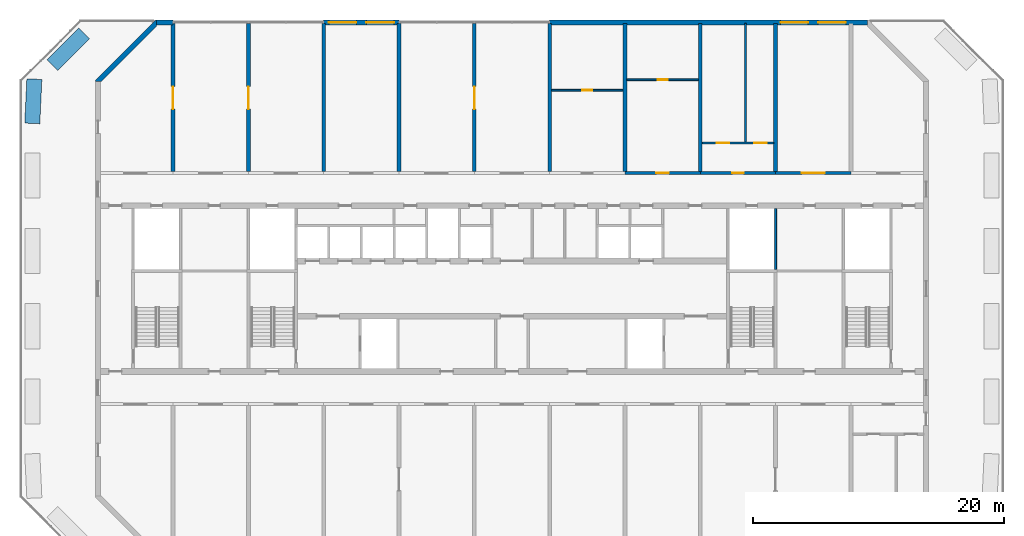
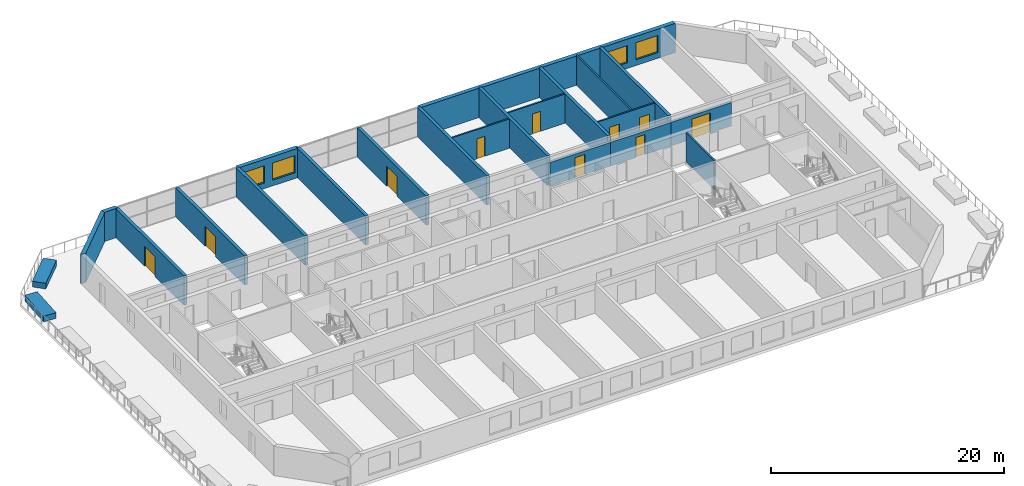
# One storey, part 8 of 14: 23 walls, 10 doors, 4 windows, 14 openings.
"""IFC4 building model written with IfcOpenShell, lengths in metres."""

from ifc_helpers import new_model, si_unit, direction, frame, frame_2d, origin, place, context, subcontext, project, spatial, polyline, rectangle, outline, extrude, source, transform, mapped, material, layer, layer_set, type_object, element, fill, save


model = new_model("IFC4")

# Units and contexts
model_context = context("Model", 3, precision=1e-05, world=origin(), true_north=direction((0.0, 1.0)))
body_context = subcontext(model_context, "Body", "Model", "MODEL_VIEW")
ifc_project = project(units=[si_unit("LENGTHUNIT", "METRE"), si_unit("AREAUNIT", "SQUARE_METRE"), si_unit("VOLUMEUNIT", "CUBIC_METRE"), si_unit("PLANEANGLEUNIT", "RADIAN"), si_unit("MASSUNIT", "GRAM", prefix="KILO")], contexts=[model_context])

# Site, building, storey
site_placement = place(None, origin())
site = spatial("IfcSite", under=ifc_project, at=site_placement, CompositionType="ELEMENT")
building_placement = place(site_placement, origin())
building = spatial("IfcBuilding", under=site, at=building_placement, Name="Poui Terraces", CompositionType="ELEMENT")
storey_placement = place(building_placement, frame((0.0, 0.0, 158.699951171875)))
storey = spatial("IfcBuildingStorey", under=building, at=storey_placement, Name="L44", CompositionType="ELEMENT", Elevation=158.699951171875)

# Wall, openings, doors
ifc_material_1 = material(Name="Fire-rated plasterboard wall")
ifc_layer_1 = layer(ifc_material_1, 0.14990234375)
ifc_layer_set_1 = layer_set([ifc_layer_1], Name="Fire-rated plasterboard wall")
wall_type_1 = type_object("IfcWallType", Name="CORRIDOR WALL 150", PredefinedType="PARTITIONING", material=ifc_layer_set_1)
wall_1_placement = place(storey_placement, frame((66.159912109375, 32.800048828125, 0.0), z_axis=(0.0, 0.0, 1.0), x_axis=(1.0, 0.0, 0.0)))
wall_1 = element("IfcWall", 1, at=wall_1_placement, inside=storey, type_object=wall_type_1, Name="CORRIDOR WALL 150", PredefinedType="PARTITIONING", context=body_context, shape_type="SweptSolid", body=[
    extrude(rectangle(XDim=5.68017578125, YDim=0.14990234375, at=frame_2d((2.840087890625, 0.0))), origin(), (0.0, 0.0, 1.0), 3.070068359375),
])
opening_1_placement = place(wall_1_placement, frame((1.139892578125, 0.0, 0.0)))
opening_1 = element("IfcOpeningElement", 2, at=opening_1_placement, cuts=wall_1, Name="Opening D100", PredefinedType="OPENING", context=body_context, shape_type="SweptSolid", body=[
    extrude(rectangle(XDim=1.0, YDim=2.10009765625, at=frame_2d((0.5, 1.050048828125))), frame((0.0, 0.0849609375, 0.0), z_axis=(0.0, -1.0, 0.0), x_axis=(1.0, 0.0, 0.0)), (0.0, 0.0, 1.0), 0.169921875),
])
opening_2_placement = place(wall_1_placement, frame((4.139892578125, 0.0, 0.0)))
opening_2 = element("IfcOpeningElement", 3, at=opening_2_placement, cuts=wall_1, Name="Opening D100", PredefinedType="OPENING", context=body_context, shape_type="SweptSolid", body=[
    extrude(rectangle(XDim=1.0, YDim=2.10009765625, at=frame_2d((0.5, 1.050048828125))), frame((0.0, 0.0849609375, 0.0), z_axis=(0.0, -1.0, 0.0), x_axis=(1.0, 0.0, 0.0)), (0.0, 0.0, 1.0), 0.169921875),
])
ifc_material_2 = material(Name="Solid core timber door", Category="wood")
door_type_1 = type_object("IfcDoorType", Name="ACCESSIBLE INTERNAL DOOR 1000 X 2100", OperationType="NOTDEFINED", PredefinedType="DOOR", material=ifc_material_2)
door_1_placement = place(opening_1_placement, frame((1.0, 0.0, 0.0), z_axis=(0.0, 0.0, 1.0), x_axis=(-1.0, 0.0, 0.0)))
door_1 = element("IfcDoor", 4, at=door_1_placement, inside=storey, type_object=door_type_1, Name="ACCESSIBLE INTERNAL DOOR 055", OperationType="SINGLE_SWING_LEFT", OverallHeight=2.10009765625, OverallWidth=1.0, PredefinedType="DOOR", context=body_context, shape_type="SweptSolid", body=[
    extrude(rectangle(XDim=1.0, YDim=2.10009765625, at=frame_2d((0.5, 1.050048828125))), frame((0.0, 0.02490234375, 0.0), z_axis=(0.0, -1.0, 0.0), x_axis=(1.0, 0.0, 0.0)), (0.0, 0.0, 1.0), 0.050048828125),
])
fill(opening_1, door_1)
door_2_placement = place(opening_2_placement, frame((1.0, 0.0, 0.0), z_axis=(0.0, 0.0, 1.0), x_axis=(-1.0, 0.0, 0.0)))
door_2 = element("IfcDoor", 5, at=door_2_placement, inside=storey, type_object=door_type_1, Name="ACCESSIBLE INTERNAL DOOR 056", OperationType="SINGLE_SWING_RIGHT", OverallHeight=2.10009765625, OverallWidth=1.0, PredefinedType="DOOR", context=body_context, shape_type="SweptSolid", body=[
    extrude(rectangle(XDim=1.0, YDim=2.10009765625, at=frame_2d((0.5, 1.050048828125))), frame((0.0, 0.02490234375, 0.0), z_axis=(0.0, -1.0, 0.0), x_axis=(1.0, 0.0, 0.0)), (0.0, 0.0, 1.0), 0.050048828125),
])
fill(opening_2, door_2)

# Wall, opening, door
ifc_material_3 = material(Name="Concrete 65 MPa", Category="concrete")
ifc_layer_2 = layer(ifc_material_3, 0.25)
ifc_layer_set_2 = layer_set([ifc_layer_2], Name="Concrete 65 MPa")
wall_type_2 = type_object("IfcWallType", Name="CORRIDOR WALL 250 65MPa", PredefinedType="SHEAR", material=ifc_layer_set_2)
wall_2_placement = place(storey_placement, frame((60.0, 30.39990234375, 0.0), z_axis=(0.0, 0.0, 1.0), x_axis=(1.0, 0.0, 0.0)))
wall_2 = element("IfcWall", 6, at=wall_2_placement, inside=storey, type_object=wall_type_2, Name="CORRIDOR WALL LINE E BAY 8", PredefinedType="SHEAR", context=body_context, shape_type="SweptSolid", body=[
    extrude(rectangle(XDim=6.0, YDim=0.25, at=frame_2d((3.0, 0.0))), origin(), (0.0, 0.0, 1.0), 2.469970703125),
])
opening_3_placement = place(wall_2_placement, frame((2.5, 0.0, 0.0)))
opening_3 = element("IfcOpeningElement", 7, at=opening_3_placement, cuts=wall_2, Name="Opening D100", PredefinedType="OPENING", context=body_context, shape_type="SweptSolid", body=[
    extrude(rectangle(XDim=1.0, YDim=2.10009765625, at=frame_2d((0.5, 1.050048828125))), frame((0.0, 0.135009765625, 0.0), z_axis=(0.0, -1.0, 0.0), x_axis=(1.0, 0.0, 0.0)), (0.0, 0.0, 1.0), 0.27001953125),
])
door_3_placement = place(opening_3_placement, frame((1.0, 0.0, 0.0), z_axis=(0.0, 0.0, 1.0), x_axis=(-1.0, 0.0, 0.0)))
door_3 = element("IfcDoor", 8, at=door_3_placement, inside=storey, type_object=door_type_1, Name="ACCESSIBLE INTERNAL DOOR 020", OperationType="SINGLE_SWING_LEFT", OverallHeight=2.10009765625, OverallWidth=1.0, PredefinedType="DOOR", context=body_context, shape_type="SweptSolid", body=[
    extrude(rectangle(XDim=1.0, YDim=2.10009765625, at=frame_2d((0.5, 1.050048828125))), frame((0.0, 0.02490234375, 0.0), z_axis=(0.0, -1.0, 0.0), x_axis=(1.0, 0.0, 0.0)), (0.0, 0.0, 1.0), 0.050048828125),
])
fill(opening_3, door_3)

wall_3_placement = place(storey_placement, frame((66.0, 30.39990234375, 0.0), z_axis=(0.0, 0.0, 1.0), x_axis=(1.0, 0.0, 0.0)))
wall_3 = element("IfcWall", 9, at=wall_3_placement, inside=storey, type_object=wall_type_2, Name="CORRIDOR WALL LINE E BAY 9", PredefinedType="SHEAR", context=body_context, shape_type="SweptSolid", body=[
    extrude(rectangle(XDim=6.0, YDim=0.25, at=frame_2d((3.0, 0.0))), origin(), (0.0, 0.0, 1.0), 2.469970703125),
])
opening_4_placement = place(wall_3_placement, frame((2.550048828125, 0.0, 0.0)))
opening_4 = element("IfcOpeningElement", 10, at=opening_4_placement, cuts=wall_3, Name="Opening D90", PredefinedType="OPENING", context=body_context, shape_type="SweptSolid", body=[
    extrude(rectangle(XDim=0.89990234375, YDim=2.10009765625, at=frame_2d((0.449951171875, 1.050048828125))), frame((0.0, 0.135009765625, 0.0), z_axis=(0.0, -1.0, 0.0), x_axis=(1.0, 0.0, 0.0)), (0.0, 0.0, 1.0), 0.27001953125),
])
door_type_2 = type_object("IfcDoorType", Name="INTERNAL DOOR 900 X 2100", OperationType="NOTDEFINED", PredefinedType="DOOR", material=ifc_material_2)
door_4_placement = place(opening_4_placement, frame((0.89990234375, 0.0, 0.0), z_axis=(0.0, 0.0, 1.0), x_axis=(-1.0, 0.0, 0.0)))
door_4 = element("IfcDoor", 11, at=door_4_placement, inside=storey, type_object=door_type_2, Name="INTERNAL DOOR 022", OperationType="SINGLE_SWING_RIGHT", OverallHeight=2.10009765625, OverallWidth=0.89990234375, PredefinedType="DOOR", context=body_context, shape_type="SweptSolid", body=[
    extrude(rectangle(XDim=0.89990234375, YDim=2.10009765625, at=frame_2d((0.449951171875, 1.050048828125))), frame((0.0, 0.02490234375, 0.0), z_axis=(0.0, -1.0, 0.0), x_axis=(1.0, 0.0, 0.0)), (0.0, 0.0, 1.0), 0.050048828125),
])
fill(opening_4, door_4)

wall_4_placement = place(storey_placement, frame((72.0, 30.39990234375, 0.0), z_axis=(0.0, 0.0, 1.0), x_axis=(1.0, 0.0, 0.0)))
wall_4 = element("IfcWall", 12, at=wall_4_placement, inside=storey, type_object=wall_type_2, Name="CORRIDOR WALL LINE E BAY 10", PredefinedType="SHEAR", context=body_context, shape_type="SweptSolid", body=[
    extrude(rectangle(XDim=6.0, YDim=0.25, at=frame_2d((3.0, 0.0))), origin(), (0.0, 0.0, 1.0), 2.469970703125),
])
opening_5_placement = place(wall_4_placement, frame((2.10009765625, 0.0, 0.0)))
opening_5 = element("IfcOpeningElement", 13, at=opening_5_placement, cuts=wall_4, Name="Opening DD180", PredefinedType="OPENING", context=body_context, shape_type="SweptSolid", body=[
    extrude(rectangle(XDim=1.800048828125, YDim=2.10009765625, at=frame_2d((0.89990234375, 1.050048828125))), frame((0.0, 0.135009765625, 0.0), z_axis=(0.0, -1.0, 0.0), x_axis=(1.0, 0.0, 0.0)), (0.0, 0.0, 1.0), 0.27001953125),
])
ifc_material_4 = material(Name="Steel fire door", Category="steel")
door_type_3 = type_object("IfcDoorType", Name="DOUBLE INTERNAL DOOR 1800 X 2100", OperationType="DOUBLE_DOOR_SINGLE_SWING", PredefinedType="DOOR", material=ifc_material_4)
door_5_placement = place(opening_5_placement, frame((1.800048828125, 0.0, 0.0), z_axis=(0.0, 0.0, 1.0), x_axis=(-1.0, 0.0, 0.0)))
door_5 = element("IfcDoor", 14, at=door_5_placement, inside=storey, type_object=door_type_3, Name="DOUBLE INTERNAL DOOR 025", OperationType="DOUBLE_DOOR_SINGLE_SWING", OverallHeight=2.10009765625, OverallWidth=1.800048828125, PredefinedType="DOOR", context=body_context, shape_type="SweptSolid", body=[
    extrude(rectangle(XDim=1.800048828125, YDim=2.10009765625, at=frame_2d((0.89990234375, 1.050048828125))), frame((0.0, 0.02490234375, 0.0), z_axis=(0.0, -1.0, 0.0), x_axis=(1.0, 0.0, 0.0)), (0.0, 0.0, 1.0), 0.050048828125),
])
fill(opening_5, door_5)

ifc_layer_3 = layer(ifc_material_3, 0.300048828125)
ifc_layer_set_3 = layer_set([ifc_layer_3], Name="Concrete 65 MPa")
wall_type_3 = type_object("IfcWallType", Name="CROSS WALL 300 65MPa", PredefinedType="SHEAR", material=ifc_layer_set_3)
wall_5_placement = place(storey_placement, frame((24.0, 30.52490234375, 0.0), z_axis=(0.0, 0.0, 1.0), x_axis=(0.0, 1.0, 0.0)))
wall_5 = element("IfcWall", 15, at=wall_5_placement, inside=storey, type_object=wall_type_3, Name="CROSS WALL LINE 5 NORTH", PredefinedType="SHEAR", context=body_context, shape_type="SweptSolid", body=[
    extrude(rectangle(XDim=11.800048828125, YDim=0.300048828125, at=frame_2d((5.89990234375, 0.0))), origin(), (0.0, 0.0, 1.0), 3.070068359375),
])
opening_6_placement = place(wall_5_placement, frame((4.97509765625, 0.0, 0.0)))
opening_6 = element("IfcOpeningElement", 16, at=opening_6_placement, cuts=wall_5, Name="Opening DD180", PredefinedType="OPENING", context=body_context, shape_type="SweptSolid", body=[
    extrude(rectangle(XDim=1.800048828125, YDim=2.10009765625, at=frame_2d((0.89990234375, 1.050048828125))), frame((0.0, 0.16015625, 0.0), z_axis=(0.0, -1.0, 0.0), x_axis=(1.0, 0.0, 0.0)), (0.0, 0.0, 1.0), 0.320068359375),
])
door_6_placement = place(opening_6_placement, origin())
door_6 = element("IfcDoor", 17, at=door_6_placement, inside=storey, type_object=door_type_3, Name="DOUBLE INTERNAL DOOR 050", OperationType="DOUBLE_DOOR_SINGLE_SWING", OverallHeight=2.10009765625, OverallWidth=1.800048828125, PredefinedType="DOOR", context=body_context, shape_type="SweptSolid", body=[
    extrude(rectangle(XDim=1.800048828125, YDim=2.10009765625, at=frame_2d((0.89990234375, 1.050048828125))), frame((0.0, 0.02490234375, 0.0), z_axis=(0.0, -1.0, 0.0), x_axis=(1.0, 0.0, 0.0)), (0.0, 0.0, 1.0), 0.050048828125),
])
fill(opening_6, door_6)

wall_6_placement = place(storey_placement, frame((30.0, 30.52490234375, 0.0), z_axis=(0.0, 0.0, 1.0), x_axis=(0.0, 1.0, 0.0)))
wall_6 = element("IfcWall", 18, at=wall_6_placement, inside=storey, type_object=wall_type_3, Name="CROSS WALL LINE 6 NORTH", PredefinedType="SHEAR", context=body_context, shape_type="SweptSolid", body=[
    extrude(rectangle(XDim=11.800048828125, YDim=0.300048828125, at=frame_2d((5.89990234375, 0.0))), origin(), (0.0, 0.0, 1.0), 3.070068359375),
])
opening_7_placement = place(wall_6_placement, frame((4.97509765625, 0.0, 0.0)))
opening_7 = element("IfcOpeningElement", 19, at=opening_7_placement, cuts=wall_6, Name="Opening DD180", PredefinedType="OPENING", context=body_context, shape_type="SweptSolid", body=[
    extrude(rectangle(XDim=1.800048828125, YDim=2.10009765625, at=frame_2d((0.89990234375, 1.050048828125))), frame((0.0, 0.16015625, 0.0), z_axis=(0.0, -1.0, 0.0), x_axis=(1.0, 0.0, 0.0)), (0.0, 0.0, 1.0), 0.320068359375),
])
door_7_placement = place(opening_7_placement, origin())
door_7 = element("IfcDoor", 20, at=door_7_placement, inside=storey, type_object=door_type_3, Name="DOUBLE INTERNAL DOOR 051", OperationType="DOUBLE_DOOR_SINGLE_SWING", OverallHeight=2.10009765625, OverallWidth=1.800048828125, PredefinedType="DOOR", context=body_context, shape_type="SweptSolid", body=[
    extrude(rectangle(XDim=1.800048828125, YDim=2.10009765625, at=frame_2d((0.89990234375, 1.050048828125))), frame((0.0, 0.02490234375, 0.0), z_axis=(0.0, -1.0, 0.0), x_axis=(1.0, 0.0, 0.0)), (0.0, 0.0, 1.0), 0.050048828125),
])
fill(opening_7, door_7)

# Walls
for number, where, z_axis, x_axis, name in (
    (21, (36.0, 30.52490234375, 0.0), (0.0, 0.0, 1.0), (0.0, 1.0, 0.0), "CROSS WALL LINE 7 NORTH"),
    (22, (42.0, 30.52490234375, 0.0), (0.0, 0.0, 1.0), (0.0, 1.0, 0.0), "CROSS WALL LINE 8 NORTH"),
):
    element("IfcWall", number, at=place(storey_placement, frame(where, z_axis=z_axis, x_axis=x_axis)), inside=storey, type_object=wall_type_3, Name=name, PredefinedType="SHEAR", context=body_context, shape_type="SweptSolid", body=[
        extrude(rectangle(XDim=11.800048828125, YDim=0.300048828125, at=frame_2d((5.89990234375, 0.0))), origin(), (0.0, 0.0, 1.0), 3.070068359375),
    ])

# Wall, opening, door
wall_7_placement = place(storey_placement, frame((48.0, 30.52490234375, 0.0), z_axis=(0.0, 0.0, 1.0), x_axis=(0.0, 1.0, 0.0)))
wall_7 = element("IfcWall", 23, at=wall_7_placement, inside=storey, type_object=wall_type_3, Name="CROSS WALL LINE 9 NORTH", PredefinedType="SHEAR", context=body_context, shape_type="SweptSolid", body=[
    extrude(rectangle(XDim=11.800048828125, YDim=0.300048828125, at=frame_2d((5.89990234375, 0.0))), origin(), (0.0, 0.0, 1.0), 3.070068359375),
])
opening_8_placement = place(wall_7_placement, frame((4.97509765625, 0.0, 0.0)))
opening_8 = element("IfcOpeningElement", 24, at=opening_8_placement, cuts=wall_7, Name="Opening DD180", PredefinedType="OPENING", context=body_context, shape_type="SweptSolid", body=[
    extrude(rectangle(XDim=1.800048828125, YDim=2.10009765625, at=frame_2d((0.89990234375, 1.050048828125))), frame((0.0, 0.16015625, 0.0), z_axis=(0.0, -1.0, 0.0), x_axis=(1.0, 0.0, 0.0)), (0.0, 0.0, 1.0), 0.320068359375),
])
door_8_placement = place(opening_8_placement, origin())
door_8 = element("IfcDoor", 25, at=door_8_placement, inside=storey, type_object=door_type_3, Name="DOUBLE INTERNAL DOOR 052", OperationType="DOUBLE_DOOR_SINGLE_SWING", OverallHeight=2.10009765625, OverallWidth=1.800048828125, PredefinedType="DOOR", context=body_context, shape_type="SweptSolid", body=[
    extrude(rectangle(XDim=1.800048828125, YDim=2.10009765625, at=frame_2d((0.89990234375, 1.050048828125))), frame((0.0, 0.02490234375, 0.0), z_axis=(0.0, -1.0, 0.0), x_axis=(1.0, 0.0, 0.0)), (0.0, 0.0, 1.0), 0.050048828125),
])
fill(opening_8, door_8)

# Walls
for number, where, z_axis, x_axis, name in (
    (26, (54.0, 30.52490234375, 0.0), (0.0, 0.0, 1.0), (0.0, 1.0, 0.0), "CROSS WALL LINE 10 NORTH"),
    (27, (60.0, 30.52490234375, 0.0), (0.0, 0.0, 1.0), (0.0, 1.0, 0.0), "CROSS WALL LINE 11 NORTH"),
    (28, (66.0, 30.52490234375, 0.0), (0.0, 0.0, 1.0), (0.0, 1.0, 0.0), "CROSS WALL LINE 12 NORTH"),
    (29, (72.0, 30.52490234375, 0.0), (0.0, 0.0, 1.0), (0.0, 1.0, 0.0), "CROSS WALL LINE 13 NORTH"),
):
    element("IfcWall", number, at=place(storey_placement, frame(where, z_axis=z_axis, x_axis=x_axis)), inside=storey, type_object=wall_type_3, Name=name, PredefinedType="SHEAR", context=body_context, shape_type="SweptSolid", body=[
        extrude(rectangle(XDim=11.800048828125, YDim=0.300048828125, at=frame_2d((5.89990234375, 0.0))), origin(), (0.0, 0.0, 1.0), 3.070068359375),
    ])

# Wall, openings, windows
ifc_material_5 = material(Name="Precast concrete 40 MPa", Category="concrete")
ifc_layer_4 = layer(ifc_material_5, 0.39990234375)
ifc_layer_set_4 = layer_set([ifc_layer_4], Name="Precast concrete 40 MPa")
wall_type_4 = type_object("IfcWallType", Name="EXTERNAL WALL 400", PredefinedType="STANDARD", material=ifc_layer_set_4)
wall_8_placement = place(storey_placement, frame((79.317138671875, 42.39990234375, 0.0), z_axis=(0.0, 0.0, 1.0), x_axis=(-1.0, 0.0, 0.0)))
wall_8 = element("IfcWall", 30, at=wall_8_placement, inside=storey, type_object=wall_type_4, Name="EXTERNAL WALL N", PredefinedType="STANDARD", context=body_context, shape_type="SweptSolid", body=[
    extrude(rectangle(XDim=25.317138671875, YDim=0.39990234375, at=frame_2d((12.65869140625, 0.0))), origin(), (0.0, 0.0, 1.0), 3.070068359375),
])
opening_9_placement = place(wall_8_placement, frame((4.71728515625, 0.0, 0.60009765625)))
opening_9 = element("IfcOpeningElement", 31, at=opening_9_placement, cuts=wall_8, Name="Opening W3", PredefinedType="OPENING", context=body_context, shape_type="SweptSolid", body=[
    extrude(rectangle(XDim=2.199951171875, YDim=1.800048828125, at=frame_2d((1.10009765625, 0.89990234375))), frame((0.0, 0.2099609375, 0.0), z_axis=(0.0, -1.0, 0.0), x_axis=(1.0, 0.0, 0.0)), (0.0, 0.0, 1.0), 0.419921875),
])
opening_10_placement = place(wall_8_placement, frame((1.71728515625, 0.0, 0.60009765625)))
opening_10 = element("IfcOpeningElement", 32, at=opening_10_placement, cuts=wall_8, Name="Opening W3", PredefinedType="OPENING", context=body_context, shape_type="SweptSolid", body=[
    extrude(rectangle(XDim=2.199951171875, YDim=1.800048828125, at=frame_2d((1.10009765625, 0.89990234375))), frame((0.0, 0.2099609375, 0.0), z_axis=(0.0, -1.0, 0.0), x_axis=(1.0, 0.0, 0.0)), (0.0, 0.0, 1.0), 0.419921875),
])
ifc_material_6 = material(Name="Clear glass in aluminium frame", Category="aluminium")
window_type = type_object("IfcWindowType", Name="WINDOW 2200X1800", PartitioningType="DOUBLE_PANEL_HORIZONTAL", PredefinedType="WINDOW", material=ifc_material_6)
window_1_placement = place(opening_9_placement, origin())
window_1 = element("IfcWindow", 33, at=window_1_placement, inside=storey, type_object=window_type, Name="W3 WINDOW", OverallHeight=1.800048828125, OverallWidth=2.199951171875, PartitioningType="DOUBLE_PANEL_HORIZONTAL", PredefinedType="WINDOW", context=body_context, shape_type="SweptSolid", body=[
    extrude(rectangle(XDim=2.199951171875, YDim=1.800048828125, at=frame_2d((1.10009765625, 0.89990234375))), frame((0.0, 0.030029296875, 0.0), z_axis=(0.0, -1.0, 0.0), x_axis=(1.0, 0.0, 0.0)), (0.0, 0.0, 1.0), 0.06005859375),
])
fill(opening_9, window_1)
window_2_placement = place(opening_10_placement, origin())
window_2 = element("IfcWindow", 34, at=window_2_placement, inside=storey, type_object=window_type, Name="W3 WINDOW", OverallHeight=1.800048828125, OverallWidth=2.199951171875, PartitioningType="DOUBLE_PANEL_HORIZONTAL", PredefinedType="WINDOW", context=body_context, shape_type="SweptSolid", body=[
    extrude(rectangle(XDim=2.199951171875, YDim=1.800048828125, at=frame_2d((1.10009765625, 0.89990234375))), frame((0.0, 0.030029296875, 0.0), z_axis=(0.0, -1.0, 0.0), x_axis=(1.0, 0.0, 0.0)), (0.0, 0.0, 1.0), 0.06005859375),
])
fill(opening_10, window_2)

wall_9_placement = place(storey_placement, frame((42.0, 42.39990234375, 0.0), z_axis=(0.0, 0.0, 1.0), x_axis=(-1.0, 0.0, 0.0)))
wall_9 = element("IfcWall", 35, at=wall_9_placement, inside=storey, type_object=wall_type_4, Name="EXTERNAL WALL N", PredefinedType="STANDARD", context=body_context, shape_type="SweptSolid", body=[
    extrude(rectangle(XDim=6.0, YDim=0.39990234375, at=frame_2d((3.0, 0.0))), origin(), (0.0, 0.0, 1.0), 3.070068359375),
])
opening_11_placement = place(wall_9_placement, frame((3.39990234375, 0.0, 0.60009765625)))
opening_11 = element("IfcOpeningElement", 36, at=opening_11_placement, cuts=wall_9, Name="Opening W3", PredefinedType="OPENING", context=body_context, shape_type="SweptSolid", body=[
    extrude(rectangle(XDim=2.199951171875, YDim=1.800048828125, at=frame_2d((1.10009765625, 0.89990234375))), frame((0.0, 0.2099609375, 0.0), z_axis=(0.0, -1.0, 0.0), x_axis=(1.0, 0.0, 0.0)), (0.0, 0.0, 1.0), 0.419921875),
])
opening_12_placement = place(wall_9_placement, frame((0.39990234375, 0.0, 0.60009765625)))
opening_12 = element("IfcOpeningElement", 37, at=opening_12_placement, cuts=wall_9, Name="Opening W3", PredefinedType="OPENING", context=body_context, shape_type="SweptSolid", body=[
    extrude(rectangle(XDim=2.199951171875, YDim=1.800048828125, at=frame_2d((1.10009765625, 0.89990234375))), frame((0.0, 0.2099609375, 0.0), z_axis=(0.0, -1.0, 0.0), x_axis=(1.0, 0.0, 0.0)), (0.0, 0.0, 1.0), 0.419921875),
])
window_3_placement = place(opening_11_placement, origin())
window_3 = element("IfcWindow", 38, at=window_3_placement, inside=storey, type_object=window_type, Name="W3 WINDOW", OverallHeight=1.800048828125, OverallWidth=2.199951171875, PartitioningType="DOUBLE_PANEL_HORIZONTAL", PredefinedType="WINDOW", context=body_context, shape_type="SweptSolid", body=[
    extrude(rectangle(XDim=2.199951171875, YDim=1.800048828125, at=frame_2d((1.10009765625, 0.89990234375))), frame((0.0, 0.030029296875, 0.0), z_axis=(0.0, -1.0, 0.0), x_axis=(1.0, 0.0, 0.0)), (0.0, 0.0, 1.0), 0.06005859375),
])
fill(opening_11, window_3)
window_4_placement = place(opening_12_placement, origin())
window_4 = element("IfcWindow", 39, at=window_4_placement, inside=storey, type_object=window_type, Name="W3 WINDOW", OverallHeight=1.800048828125, OverallWidth=2.199951171875, PartitioningType="DOUBLE_PANEL_HORIZONTAL", PredefinedType="WINDOW", context=body_context, shape_type="SweptSolid", body=[
    extrude(rectangle(XDim=2.199951171875, YDim=1.800048828125, at=frame_2d((1.10009765625, 0.89990234375))), frame((0.0, 0.030029296875, 0.0), z_axis=(0.0, -1.0, 0.0), x_axis=(1.0, 0.0, 0.0)), (0.0, 0.0, 1.0), 0.06005859375),
])
fill(opening_12, window_4)

# Wall
wall_10_placement = place(storey_placement, frame((24.0, 42.39990234375, 0.0), z_axis=(0.0, 0.0, 1.0), x_axis=(-1.0, 0.0, 0.0)))
element("IfcWall", 40, at=wall_10_placement, inside=storey, type_object=wall_type_4, Name="EXTERNAL WALL N", PredefinedType="STANDARD", context=body_context, shape_type="SweptSolid", body=[
    extrude(rectangle(XDim=1.317138671875, YDim=0.39990234375, at=frame_2d((0.65869140625, 0.0))), origin(), (0.0, 0.0, 1.0), 3.070068359375),
])

# Wall, opening, door
ifc_material_7 = material(Name="Plasterboard partition")
ifc_layer_5 = layer(ifc_material_7, 0.14990234375)
ifc_layer_set_5 = layer_set([ifc_layer_5], Name="Plasterboard partition")
wall_type_5 = type_object("IfcWallType", Name="PARTITION WALL 150", PredefinedType="PARTITIONING", material=ifc_layer_set_5)
wall_11_placement = place(storey_placement, frame((54.159912109375, 37.0, 0.0), z_axis=(0.0, 0.0, 1.0), x_axis=(1.0, 0.0, 0.0)))
wall_11 = element("IfcWall", 41, at=wall_11_placement, inside=storey, type_object=wall_type_5, Name="PARTITION WALL 150", PredefinedType="PARTITIONING", context=body_context, shape_type="SweptSolid", body=[
    extrude(rectangle(XDim=5.68017578125, YDim=0.14990234375, at=frame_2d((2.840087890625, 0.0))), origin(), (0.0, 0.0, 1.0), 3.070068359375),
])
opening_13_placement = place(wall_11_placement, frame((2.43994140625, 0.0, 0.0)))
opening_13 = element("IfcOpeningElement", 42, at=opening_13_placement, cuts=wall_11, Name="Opening D80", PredefinedType="OPENING", context=body_context, shape_type="SweptSolid", body=[
    extrude(rectangle(XDim=0.800048828125, YDim=2.10009765625, at=frame_2d((0.39990234375, 1.050048828125))), frame((0.0, 0.0849609375, 0.0), z_axis=(0.0, -1.0, 0.0), x_axis=(1.0, 0.0, 0.0)), (0.0, 0.0, 1.0), 0.169921875),
])
door_type_4 = type_object("IfcDoorType", Name="BATHROOM, LAUNDRY AND STORE DOOR 800 X 2100", OperationType="NOTDEFINED", PredefinedType="DOOR", material=ifc_material_2)
door_9_placement = place(opening_13_placement, frame((0.800048828125, 0.0, 0.0), z_axis=(0.0, 0.0, 1.0), x_axis=(-1.0, 0.0, 0.0)))
door_9 = element("IfcDoor", 43, at=door_9_placement, inside=storey, type_object=door_type_4, Name="BATHROOM, LAUNDRY AND STORE DOOR 053", OperationType="SINGLE_SWING_LEFT", OverallHeight=2.10009765625, OverallWidth=0.800048828125, PredefinedType="DOOR", context=body_context, shape_type="SweptSolid", body=[
    extrude(rectangle(XDim=0.800048828125, YDim=2.10009765625, at=frame_2d((0.39990234375, 1.050048828125))), frame((0.0, 0.02490234375, 0.0), z_axis=(0.0, -1.0, 0.0), x_axis=(1.0, 0.0, 0.0)), (0.0, 0.0, 1.0), 0.050048828125),
])
fill(opening_13, door_9)

wall_12_placement = place(storey_placement, frame((60.159912109375, 37.840087890625, 0.0), z_axis=(0.0, 0.0, 1.0), x_axis=(1.0, 0.0, 0.0)))
wall_12 = element("IfcWall", 44, at=wall_12_placement, inside=storey, type_object=wall_type_5, Name="PARTITION WALL 150", PredefinedType="PARTITIONING", context=body_context, shape_type="SweptSolid", body=[
    extrude(rectangle(XDim=5.68017578125, YDim=0.14990234375, at=frame_2d((2.840087890625, 0.0))), origin(), (0.0, 0.0, 1.0), 3.070068359375),
])
opening_14_placement = place(wall_12_placement, frame((2.43994140625, 0.0, 0.0)))
opening_14 = element("IfcOpeningElement", 45, at=opening_14_placement, cuts=wall_12, Name="Opening D80", PredefinedType="OPENING", context=body_context, shape_type="SweptSolid", body=[
    extrude(rectangle(XDim=0.800048828125, YDim=2.10009765625, at=frame_2d((0.39990234375, 1.050048828125))), frame((0.0, 0.0849609375, 0.0), z_axis=(0.0, -1.0, 0.0), x_axis=(1.0, 0.0, 0.0)), (0.0, 0.0, 1.0), 0.169921875),
])
door_10_placement = place(opening_14_placement, frame((0.800048828125, 0.0, 0.0), z_axis=(0.0, 0.0, 1.0), x_axis=(-1.0, 0.0, 0.0)))
door_10 = element("IfcDoor", 46, at=door_10_placement, inside=storey, type_object=door_type_4, Name="BATHROOM, LAUNDRY AND STORE DOOR 054", OperationType="SINGLE_SWING_RIGHT", OverallHeight=2.10009765625, OverallWidth=0.800048828125, PredefinedType="DOOR", context=body_context, shape_type="SweptSolid", body=[
    extrude(rectangle(XDim=0.800048828125, YDim=2.10009765625, at=frame_2d((0.39990234375, 1.050048828125))), frame((0.0, 0.02490234375, 0.0), z_axis=(0.0, -1.0, 0.0), x_axis=(1.0, 0.0, 0.0)), (0.0, 0.0, 1.0), 0.050048828125),
])
fill(opening_14, door_10)

# Walls
wall_13_placement = place(storey_placement, frame((69.60009765625, 32.875, 0.0), z_axis=(0.0, 0.0, 1.0), x_axis=(0.0, 1.0, 0.0)))
element("IfcWall", 47, at=wall_13_placement, inside=storey, type_object=wall_type_5, Name="PARTITION WALL 150", PredefinedType="PARTITIONING", context=body_context, shape_type="SweptSolid", body=[
    extrude(rectangle(XDim=9.465087890625, YDim=0.14990234375, at=frame_2d((4.732421875, 0.0))), origin(), (0.0, 0.0, 1.0), 3.070068359375),
])
ifc_material_8 = material(Name="Fire-rated plasterboard riser wall")
ifc_layer_6 = layer(ifc_material_8, 0.14990234375)
ifc_layer_set_6 = layer_set([ifc_layer_6], Name="Fire-rated plasterboard riser wall")
wall_type_6 = type_object("IfcWallType", Name="RISER WALL 150", PredefinedType="PARTITIONING", material=ifc_layer_set_6)
wall_14_placement = place(storey_placement, frame((72.0, 22.735107421875, 0.0), z_axis=(0.0, 0.0, 1.0), x_axis=(0.0, 1.0, 0.0)))
element("IfcWall", 48, at=wall_14_placement, inside=storey, type_object=wall_type_6, Name="RISER WALL 150", PredefinedType="PARTITIONING", context=body_context, shape_type="SweptSolid", body=[
    extrude(rectangle(XDim=4.829833984375, YDim=0.14990234375, at=frame_2d((2.4150390625, 0.0))), origin(), (0.0, 0.0, 1.0), 3.070068359375),
])
ifc_layer_7 = layer(ifc_material_5, 0.39990234375)
ifc_layer_set_7 = layer_set([ifc_layer_7], Name="Precast concrete 40 MPa")
wall_type_7 = type_object("IfcWallType", Name="TERRACOTTA CLAD CHAMFER WALL 400", PredefinedType="STANDARD", material=ifc_layer_set_7)
wall_15_placement = place(storey_placement, origin())
element("IfcWall", 49, at=wall_15_placement, inside=storey, type_object=wall_type_7, Name="CHAMFER WALL CH05", PredefinedType="STANDARD", context=body_context, shape_type="SweptSolid", body=[
    extrude(outline(polyline([(22.682861328125, 42.60009765625), (22.60009765625, 42.60009765625), (17.800048828125, 37.800048828125), (17.800048828125, 37.71728515625), (18.28271484375, 37.71728515625), (22.682861328125, 42.1171875), (22.682861328125, 42.60009765625)])), origin(), (0.0, 0.0, 1.0), 3.070068359375),
])
ifc_layer_8 = layer(ifc_material_5, 1.199951171875)
ifc_layer_set_8 = layer_set([ifc_layer_8], Name="Precast concrete 40 MPa")
wall_type_8 = type_object("IfcWallType", Name="PLANTER 600", PredefinedType="USERDEFINED", material=ifc_layer_set_8)
shared_shape_1 = source(origin(), body_context, "Body", "SweptSolid", [
    extrude(outline(polyline([(0.0, 0.0), (1.19873046875, -0.055908203125), (1.363525390625, 3.475830078125), (0.164794921875, 3.53173828125), (0.0, 0.0)])), origin(), (0.0, 0.0, 1.0), 0.60009765625),
])
wall_16_placement = place(storey_placement, frame((12.1796875, 34.385986328125, 0.0)))
element("IfcWall", 50, at=wall_16_placement, inside=storey, type_object=wall_type_8, Name="PLANTER", ObjectType="PLANTER", PredefinedType="USERDEFINED", context=body_context, shape_type="MappedRepresentation", body=[
    mapped(shared_shape_1, transform((0.0, 0.0, 0.0))),
])
shared_shape_2 = source(origin(), body_context, "Body", "SweptSolid", [
    extrude(outline(polyline([(0.0, 0.0), (0.848388671875, -0.848388671875), (3.39404296875, 1.697265625), (2.54541015625, 2.545654296875), (0.0, 0.0)])), origin(), (0.0, 0.0, 1.0), 0.60009765625),
])
wall_17_placement = place(storey_placement, frame((13.9541015625, 39.41650390625, 0.0)))
element("IfcWall", 51, at=wall_17_placement, inside=storey, type_object=wall_type_8, Name="PLANTER", ObjectType="PLANTER", PredefinedType="USERDEFINED", context=body_context, shape_type="MappedRepresentation", body=[
    mapped(shared_shape_2, transform((0.0, 0.0, 0.0))),
])

save(model, "model.ifc")
